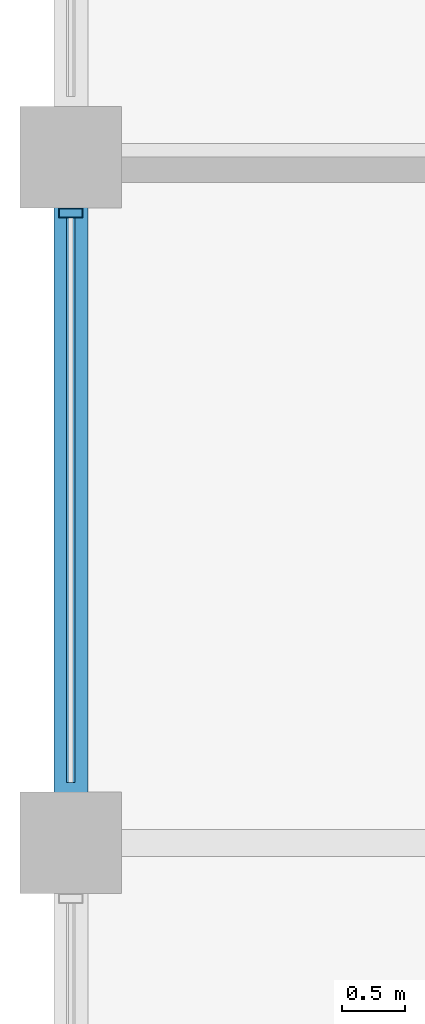
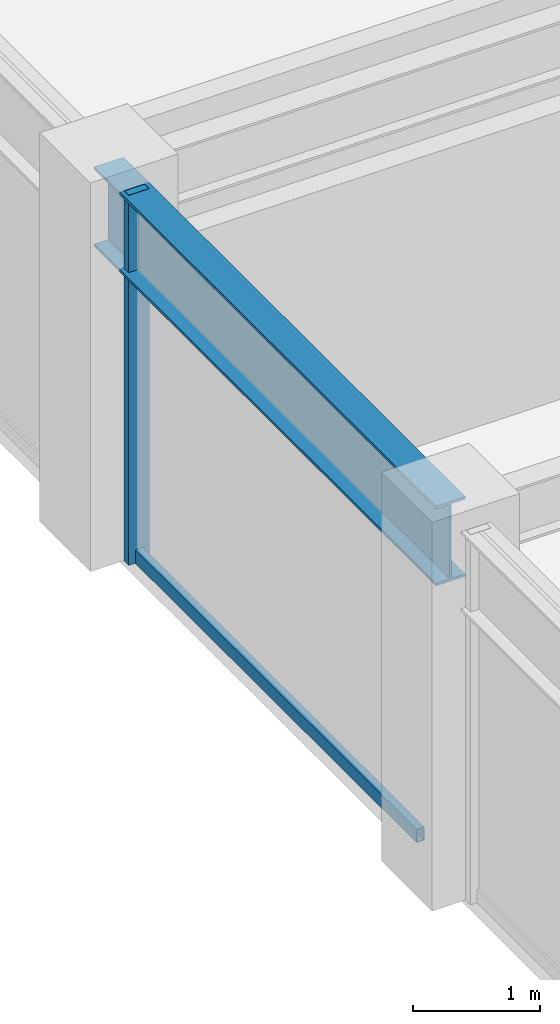
# One storey, part 8 of 32: 2 members, 1 beam, 1 element without a shape of its own.
"""IFC4 building model written with IfcOpenShell, lengths in metres."""

from ifc_helpers import new_model, si_unit, direction, frame, origin, origin_2d, place, context, subcontext, project, spatial, hollow_rectangle, i_section, extrude, material, layer, layer_set, material_profile, profile_set, type_object, element, aggregate, save


model = new_model("IFC4")

# Units and contexts
model_context = context("Model", 3, precision=1e-05, world=origin(), true_north=direction((0.0, 1.0)))
body_context = subcontext(model_context, "Body", "Model", "MODEL_VIEW")
ifc_project = project(units=[si_unit("LENGTHUNIT", "METRE"), si_unit("AREAUNIT", "SQUARE_METRE"), si_unit("VOLUMEUNIT", "CUBIC_METRE"), si_unit("PLANEANGLEUNIT", "RADIAN"), si_unit("MASSUNIT", "GRAM", prefix="KILO")], contexts=[model_context])

# Site, building, storey
site_placement = place(None, origin())
site = spatial("IfcSite", under=ifc_project, at=site_placement, CompositionType="ELEMENT")
building_placement = place(site_placement, origin())
building = spatial("IfcBuilding", under=site, at=building_placement, Name="Surkhivell Harbour Commons", CompositionType="ELEMENT")
storey_placement = place(building_placement, frame((0.0, 0.0, 216.0)))
storey = spatial("IfcBuildingStorey", under=building, at=storey_placement, Name="L56", CompositionType="ELEMENT", Elevation=216.0)

# Beam
ifc_material_1 = material(Name="Steel S355", Category="steel")
ifc_material_profile_1 = material_profile(ifc_material_1, i_section(OverallWidth=0.26806640625, OverallDepth=0.77001953125, WebThickness=0.015625, FlangeThickness=0.025390625, at=origin_2d()), Name="UB762x267x197")
ifc_profile_set_1 = profile_set([ifc_material_profile_1], Name="Steel S355")
beam_type = type_object("IfcBeamType", Name="BM-SPN-762", PredefinedType="SPANDREL", material=ifc_profile_set_1)
beam_placement = place(storey_placement, frame((-27.0, -5.39990234375, 3.18505859375), z_axis=(0.0, 1.0, 0.0), x_axis=(-1.0, 0.0, 0.0)))
element("IfcBeam", 1, at=beam_placement, inside=storey, type_object=beam_type, Name="L56 Tube Spandrel (-27.0,-5.4)", PredefinedType="SPANDREL", context=body_context, shape_type="SweptSolid", body=[
    extrude(i_section(OverallWidth=0.26806640625, OverallDepth=0.77001953125, WebThickness=0.015625, FlangeThickness=0.025390625, at=origin_2d()), origin(), (0.0, 0.0, 1.0), 5.39990234375),
])

# Curtain wall, members
ifc_material_2 = material(Name="Anodised pale-metal aluminium and insulated glazing", Category="aluminium")
ifc_layer = layer(ifc_material_2, 0.18994140625)
ifc_layer_set = layer_set([ifc_layer], Name="Anodised pale-metal aluminium and insulated glazing")
curtain_wall_type = type_object("IfcCurtainWallType", Name="CW-SYS-Z3", PredefinedType="NOTDEFINED", material=ifc_layer_set)
curtain_wall_placement = place(storey_placement, origin())
curtain_wall = element("IfcCurtainWall", 2, at=curtain_wall_placement, inside=storey, type_object=curtain_wall_type, Name="L56 Curtain Wall CW-L56-E12S1", PredefinedType="NOTDEFINED")
ifc_material_3 = material(Name="Anodised pale-metal aluminium alloy 6063-T6", Category="aluminium")
ifc_material_profile_2 = material_profile(ifc_material_3, hollow_rectangle(XDim=0.074951171875, YDim=0.18994140625, WallThickness=0.00390625, at=origin_2d()), Name="ALU-MULL-75x190")
ifc_profile_set_2 = profile_set([ifc_material_profile_2], Name="Anodised pale-metal aluminium alloy 6063-T6")
member_type_1 = type_object("IfcMemberType", Name="CWM-190", PredefinedType="MULLION", material=ifc_profile_set_2)
member_1_placement = place(storey_placement, frame((-27.0, -0.439453125, 0.0), z_axis=(0.0, 0.0, 1.0), x_axis=(0.0, -1.0, 0.0)))
member_1 = element("IfcMember", 3, at=member_1_placement, type_object=member_type_1, Name="CW-Z3 mullion 5", PredefinedType="MULLION", context=body_context, shape_type="SweptSolid", body=[
    extrude(hollow_rectangle(XDim=0.074951171875, YDim=0.18994140625, WallThickness=0.00390625, at=origin_2d()), origin(), (0.0, 0.0, 1.0), 3.570068359375),
])
ifc_material_4 = material(Name="Champagne anodised aluminium alloy 6063-T6", Category="aluminium")
ifc_material_profile_3 = material_profile(ifc_material_4, hollow_rectangle(XDim=0.070068359375, YDim=0.1298828125, WallThickness=0.00341796875, at=origin_2d()), Name="ALU-TRAN-70x130")
ifc_profile_set_3 = profile_set([ifc_material_profile_3], Name="Champagne anodised aluminium alloy 6063-T6")
member_type_2 = type_object("IfcMemberType", Name="CWT-130", PredefinedType="USERDEFINED", material=ifc_profile_set_3)
member_2_placement = place(storey_placement, frame((-27.0, -0.47705078125, 0.06494140625), z_axis=(0.0, -1.0, 0.0), x_axis=(1.0, 0.0, 0.0)))
member_2 = element("IfcMember", 4, at=member_2_placement, type_object=member_type_2, Name="CW-Z3 transom 5.1", ObjectType="TRANSOM", PredefinedType="USERDEFINED", context=body_context, shape_type="SweptSolid", body=[
    extrude(hollow_rectangle(XDim=0.070068359375, YDim=0.1298828125, WallThickness=0.00341796875, at=origin_2d()), origin(), (0.0, 0.0, 1.0), 4.446044921875),
])
aggregate(curtain_wall, [member_1, member_2])

save(model, "model.ifc")
